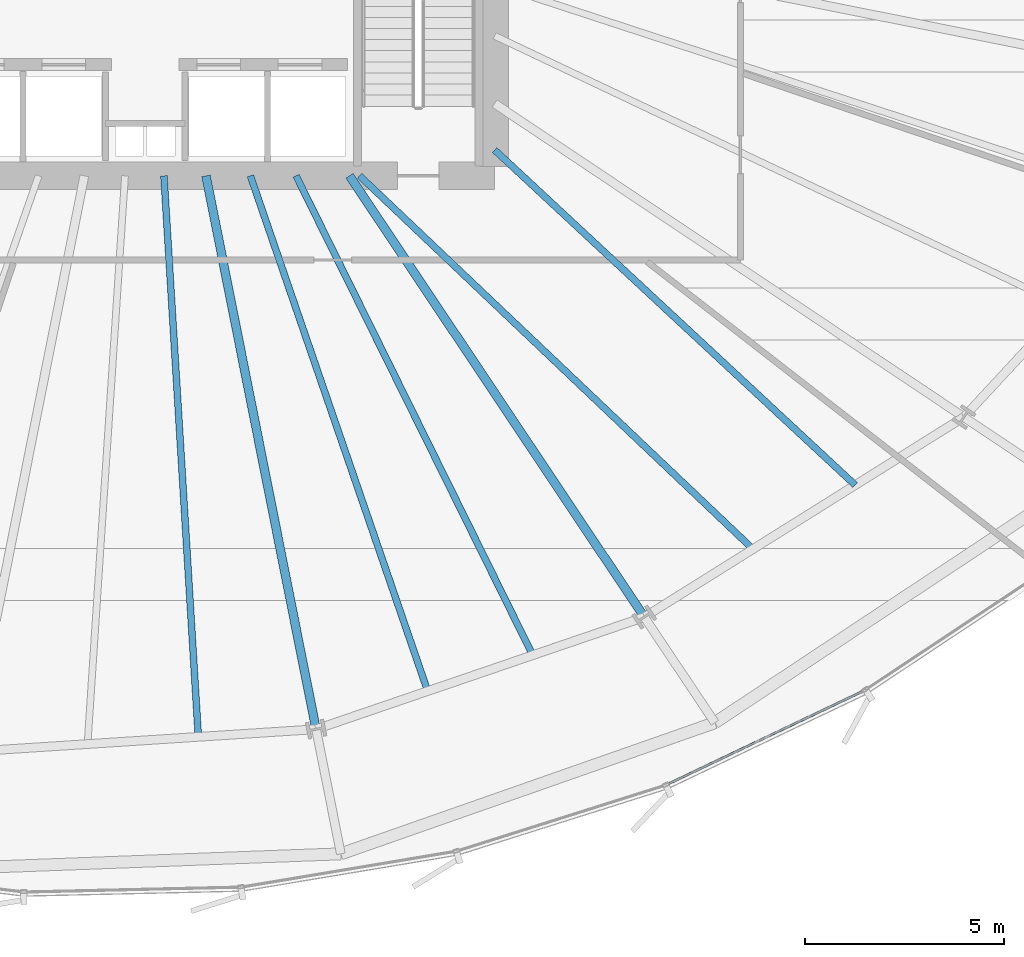
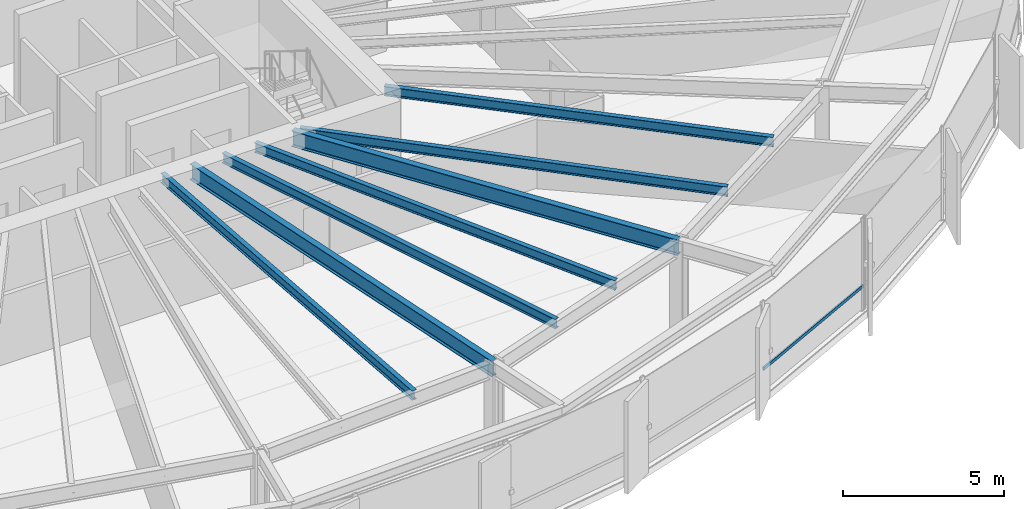
# One storey, part 12 of 38: 7 beams, 1 member, 1 element without a shape of its own.
"""IFC4 building model written with IfcOpenShell, lengths in metres."""

from ifc_helpers import new_model, si_unit, direction, frame, origin, origin_2d, place, context, subcontext, project, spatial, hollow_rectangle, i_section, extrude, source, transform, mapped, material, layer, layer_set, material_profile, profile_set, type_object, element, aggregate, save


model = new_model("IFC4")

# Units and contexts
model_context = context("Model", 3, precision=1e-05, world=origin(), true_north=direction((0.0, 1.0)))
body_context = subcontext(model_context, "Body", "Model", "MODEL_VIEW")
ifc_project = project(units=[si_unit("LENGTHUNIT", "METRE"), si_unit("AREAUNIT", "SQUARE_METRE"), si_unit("VOLUMEUNIT", "CUBIC_METRE"), si_unit("PLANEANGLEUNIT", "RADIAN"), si_unit("MASSUNIT", "GRAM", prefix="KILO"), si_unit("THERMODYNAMICTEMPERATUREUNIT", "KELVIN")], contexts=[model_context])

# Site, building, storey
site_placement = place(None, origin())
site = spatial("IfcSite", under=ifc_project, at=site_placement, CompositionType="ELEMENT")
building_placement = place(site_placement, origin())
building = spatial("IfcBuilding", under=site, at=building_placement, Name="Kethvar Cultural Tower", CompositionType="ELEMENT")
storey_placement = place(building_placement, frame((0.0, 0.0, 52.39990234375)))
storey = spatial("IfcBuildingStorey", under=building, at=storey_placement, Name="L12", CompositionType="ELEMENT", Elevation=52.39990234375)

# Beams
ifc_material_1 = material(Name="Steel S355J2", Category="steel")
ifc_material_profile_1 = material_profile(ifc_material_1, i_section(OverallWidth=0.219970703125, OverallDepth=0.60009765625, WebThickness=0.011962890625, FlangeThickness=0.01904296875, FilletRadius=0.02392578125, at=origin_2d()), Name="Steel S355J2 — IPE600")
ifc_profile_set_1 = profile_set([ifc_material_profile_1], Name="Steel S355J2 — IPE600")
beam_type_1 = type_object("IfcBeamType", Name="BM-IPE600", PredefinedType="BEAM", material=ifc_profile_set_1)
shared_shape_1 = source(origin(), body_context, "Body", "SweptSolid", [
    extrude(i_section(OverallWidth=0.219970703125, OverallDepth=0.60009765625, WebThickness=0.011962890625, FlangeThickness=0.01904296875, FilletRadius=0.02392578125, at=origin_2d()), origin(), (0.0, 0.0, 1.0), 14.210693359375),
])
beam_1_placement = place(storey_placement, frame((48.33154296875, 20.10009765625, 3.248046875), z_axis=(0.195098432651, -0.980783667063, 0.0), x_axis=(0.980783667063, 0.195098432651, 0.0)))
element("IfcBeam", 1, at=beam_1_placement, inside=storey, type_object=beam_type_1, Name="L12 Primary Radial Beam RB-13", PredefinedType="BEAM", context=body_context, shape_type="MappedRepresentation", body=[
    mapped(shared_shape_1, transform((0.0, 0.0, 0.0), scale=1.0)),
])
shared_shape_2 = source(origin(), body_context, "Body", "SweptSolid", [
    extrude(i_section(OverallWidth=0.219970703125, OverallDepth=0.60009765625, WebThickness=0.011962890625, FlangeThickness=0.01904296875, FilletRadius=0.02392578125, at=origin_2d()), origin(), (0.0, 0.0, 1.0), 13.365478515625),
])
beam_2_placement = place(storey_placement, frame((51.945068359375, 20.10009765625, 3.248046875), z_axis=(0.555559834465, -0.831476560301, 0.0), x_axis=(0.831476560301, 0.555559834465, 0.0)))
element("IfcBeam", 2, at=beam_2_placement, inside=storey, type_object=beam_type_1, Name="L12 Primary Radial Beam RB-14", PredefinedType="BEAM", context=body_context, shape_type="MappedRepresentation", body=[
    mapped(shared_shape_2, transform((0.0, 0.0, 0.0), scale=1.0)),
])
ifc_material_profile_2 = material_profile(ifc_material_1, i_section(OverallWidth=0.169921875, OverallDepth=0.360107421875, WebThickness=0.008056640625, FlangeThickness=0.0126953125, FilletRadius=0.01806640625, at=origin_2d()), Name="Steel S355J2 — IPE360")
ifc_profile_set_2 = profile_set([ifc_material_profile_2], Name="Steel S355J2 — IPE360")
beam_type_2 = type_object("IfcBeamType", Name="BM-J360", PredefinedType="JOIST", material=ifc_profile_set_2)
shared_shape_3 = source(origin(), body_context, "Body", "SweptSolid", [
    extrude(i_section(OverallWidth=0.169921875, OverallDepth=0.360107421875, WebThickness=0.008056640625, FlangeThickness=0.0126953125, FilletRadius=0.01806640625, at=origin_2d()), origin(), (0.0, 0.0, 1.0), 14.156494140625),
])
beam_3_placement = place(storey_placement, frame((47.272216796875, 20.10009765625, 3.3681640625), z_axis=(0.06122296991, -0.998124114505, 0.0), x_axis=(0.998124114505, 0.06122296991, 0.0)))
element("IfcBeam", 3, at=beam_3_placement, inside=storey, type_object=beam_type_2, Name="L12 Composite Floor Joist J-12B", PredefinedType="JOIST", context=body_context, shape_type="MappedRepresentation", body=[
    mapped(shared_shape_3, transform((0.0, 0.0, 0.0), scale=1.0)),
])
shared_shape_4 = source(origin(), body_context, "Body", "SweptSolid", [
    extrude(i_section(OverallWidth=0.169921875, OverallDepth=0.360107421875, WebThickness=0.008056640625, FlangeThickness=0.0126953125, FilletRadius=0.01806640625, at=origin_2d()), origin(), (0.0, 0.0, 1.0), 13.7236328125),
])
beam_4_placement = place(storey_placement, frame((49.449462890625, 20.10009765625, 3.3681640625), z_axis=(0.325355191569, -0.945591877778, 0.0), x_axis=(0.945591877778, 0.325355191569, 0.0)))
element("IfcBeam", 4, at=beam_4_placement, inside=storey, type_object=beam_type_2, Name="L12 Composite Floor Joist J-13A", PredefinedType="JOIST", context=body_context, shape_type="MappedRepresentation", body=[
    mapped(shared_shape_4, transform((0.0, 0.0, 0.0), scale=1.0)),
])
shared_shape_5 = source(origin(), body_context, "Body", "SweptSolid", [
    extrude(i_section(OverallWidth=0.169921875, OverallDepth=0.360107421875, WebThickness=0.008056640625, FlangeThickness=0.0126953125, FilletRadius=0.01806640625, at=origin_2d()), origin(), (0.0, 0.0, 1.0), 13.4638671875),
])
beam_5_placement = place(storey_placement, frame((50.6005859375, 20.10009765625, 3.3681640625), z_axis=(0.442609148219, -0.89671463795, 0.0), x_axis=(0.89671463795, 0.442609148219, 0.0)))
element("IfcBeam", 5, at=beam_5_placement, inside=storey, type_object=beam_type_2, Name="L12 Composite Floor Joist J-13B", PredefinedType="JOIST", context=body_context, shape_type="MappedRepresentation", body=[
    mapped(shared_shape_5, transform((0.0, 0.0, 0.0), scale=1.0)),
])
shared_shape_6 = source(origin(), body_context, "Body", "SweptSolid", [
    extrude(i_section(OverallWidth=0.169921875, OverallDepth=0.360107421875, WebThickness=0.008056640625, FlangeThickness=0.0126953125, FilletRadius=0.01806640625, at=origin_2d()), origin(), (0.0, 0.0, 1.0), 13.656982421875),
])
beam_6_placement = place(storey_placement, frame((52.199951171875, 20.10009765625, 3.3681640625), z_axis=(0.725392974221, -0.688334971472, 0.0), x_axis=(0.688334971472, 0.725392974221, 0.0)))
element("IfcBeam", 6, at=beam_6_placement, inside=storey, type_object=beam_type_2, Name="L12 Composite Floor Joist J-14A", PredefinedType="JOIST", context=body_context, shape_type="MappedRepresentation", body=[
    mapped(shared_shape_6, transform((0.0, 0.0, 0.0), scale=1.0)),
])
shared_shape_7 = source(origin(), body_context, "Body", "SweptSolid", [
    extrude(i_section(OverallWidth=0.169921875, OverallDepth=0.360107421875, WebThickness=0.008056640625, FlangeThickness=0.0126953125, FilletRadius=0.01806640625, at=origin_2d()), origin(), (0.0, 0.0, 1.0), 12.3974609375),
])
beam_7_placement = place(storey_placement, frame((55.60009765625, 20.75, 3.3681640625), z_axis=(0.732566203092, -0.68069578968, 0.0), x_axis=(0.68069578968, 0.732566203092, 0.0)))
element("IfcBeam", 7, at=beam_7_placement, inside=storey, type_object=beam_type_2, Name="L12 Composite Floor Joist J-14B", PredefinedType="JOIST", context=body_context, shape_type="MappedRepresentation", body=[
    mapped(shared_shape_7, transform((0.0, 0.0, 0.0), scale=1.0)),
])

# Curtain wall, member
ifc_material_2 = material(Name="Aluminium 6063-T6", Category="aluminium")
ifc_layer = layer(ifc_material_2, 0.179931640625, Name="Aluminium 6063-T6", Category="aluminium")
ifc_layer_set = layer_set([ifc_layer], Name="Aluminium 6063-T6 (180 mm)")
curtain_wall_type = type_object("IfcCurtainWallType", Name="CW-SYS-02-Z1", PredefinedType="NOTDEFINED", material=ifc_layer_set)
curtain_wall_placement = place(storey_placement, origin())
curtain_wall = element("IfcCurtainWall", 8, at=curtain_wall_placement, inside=storey, type_object=curtain_wall_type, Name="L12 Curtain Wall Run 05", PredefinedType="NOTDEFINED")
ifc_material_profile_3 = material_profile(ifc_material_2, hollow_rectangle(XDim=0.054931640625, YDim=0.1201171875, WallThickness=0.00390625, at=origin_2d()), Name="Aluminium 6063-T6 — RHS120x55x4")
ifc_profile_set_3 = profile_set([ifc_material_profile_3], Name="Aluminium 6063-T6 — RHS120x55x4")
member_type = type_object("IfcMemberType", Name="CW-SYS-02-Z1-TRN", PredefinedType="USERDEFINED", material=ifc_profile_set_3)
shared_shape_8 = source(origin(), body_context, "Body", "SweptSolid", [
    extrude(hollow_rectangle(XDim=0.054931640625, YDim=0.1201171875, WallThickness=0.00390625, at=origin_2d()), origin(), (0.0, 0.0, 1.0), 5.4521484375),
])
member_placement = place(storey_placement, frame((59.955322265625, 4.776123046875, 0.9501953125), z_axis=(0.902738810386, 0.430189074969, 0.0), x_axis=(-0.430189074969, 0.902738810386, 0.0)))
member = element("IfcMember", 9, at=member_placement, type_object=member_type, Name="CW-L12-R05 Transom 6", ObjectType="TRANSOM", PredefinedType="USERDEFINED", context=body_context, shape_type="MappedRepresentation", body=[
    mapped(shared_shape_8, transform((0.0, 0.0, 0.0), scale=1.0)),
])
aggregate(curtain_wall, [member])

save(model, "model.ifc")
